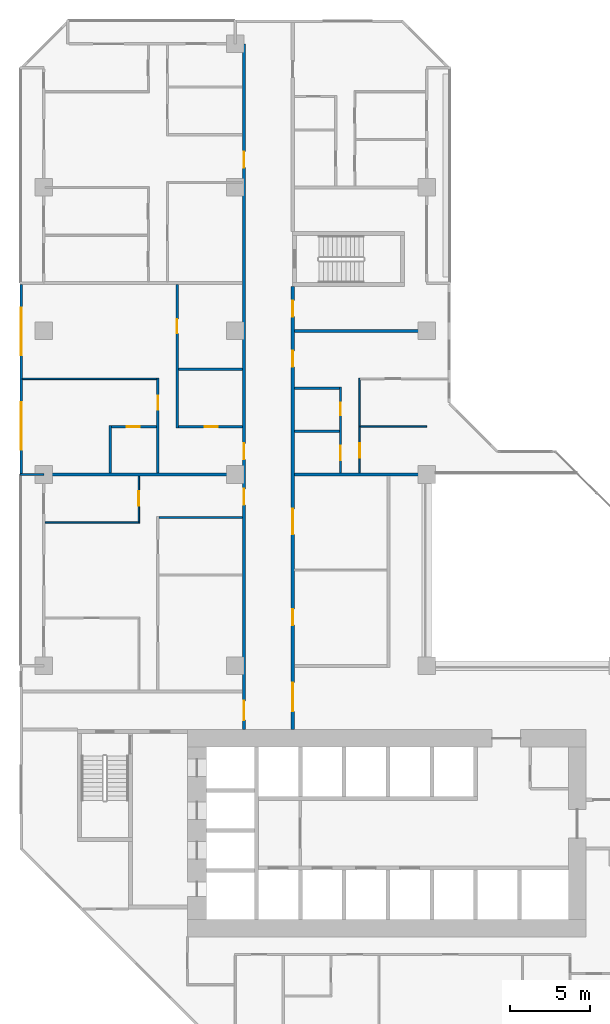
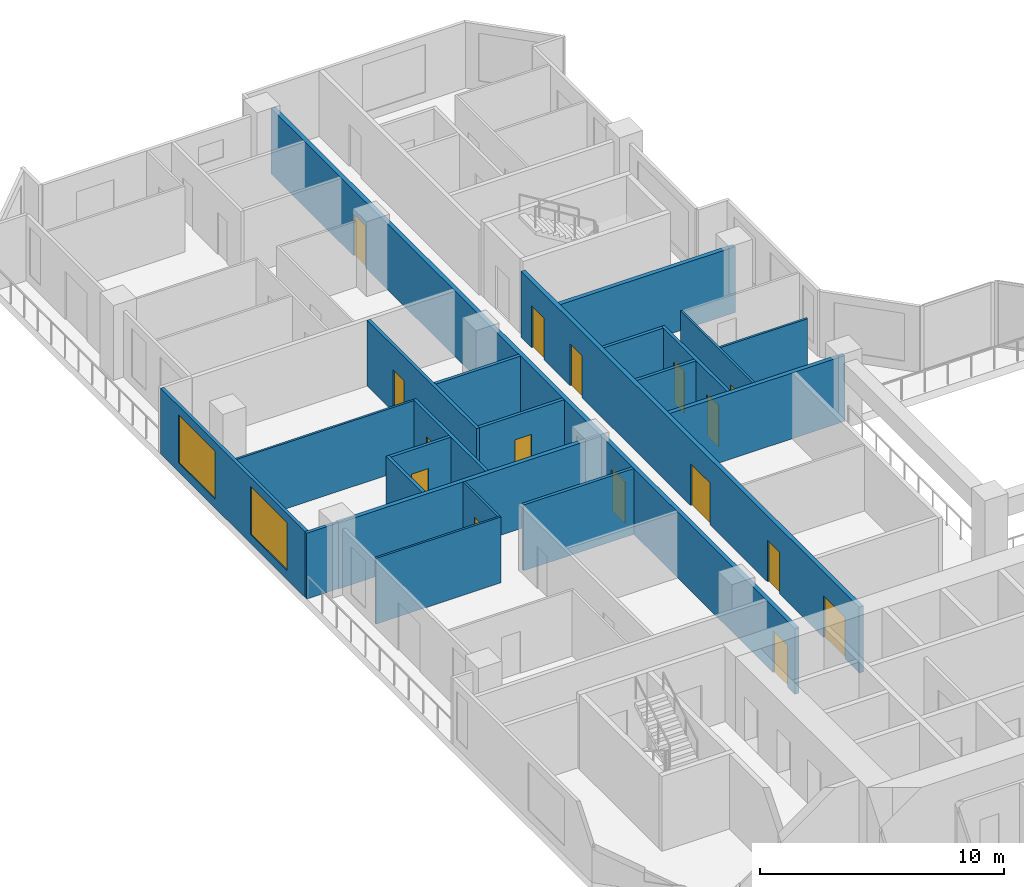
# One storey, part 9 of 16: 22 walls, 17 doors, 2 windows, 19 openings.
"""IFC4 building model written with IfcOpenShell, lengths in metres."""

from ifc_helpers import new_model, si_unit, direction, frame, frame_2d, origin, place, context, subcontext, project, spatial, rectangle, extrude, material, layer, layer_set, type_object, element, fill, save


model = new_model("IFC4")

# Units and contexts
model_context = context("Model", 3, precision=1e-05, world=origin(), true_north=direction((0.0, 1.0)))
body_context = subcontext(model_context, "Body", "Model", "MODEL_VIEW")
ifc_project = project(units=[si_unit("LENGTHUNIT", "METRE"), si_unit("AREAUNIT", "SQUARE_METRE"), si_unit("VOLUMEUNIT", "CUBIC_METRE"), si_unit("PLANEANGLEUNIT", "RADIAN"), si_unit("MASSUNIT", "GRAM", prefix="KILO")], contexts=[model_context])

# Site, building, storey
site_placement = place(None, origin())
site = spatial("IfcSite", under=ifc_project, at=site_placement, CompositionType="ELEMENT")
building_placement = place(site_placement, origin())
building = spatial("IfcBuilding", under=site, at=building_placement, Name="Chenar Terraces", CompositionType="ELEMENT")
storey_placement = place(building_placement, frame((0.0, 0.0, 82.64990234375)))
storey = spatial("IfcBuildingStorey", under=building, at=storey_placement, Name="L18", CompositionType="ELEMENT", Elevation=82.64990234375)

# Wall, openings, doors
ifc_material_1 = material(Name="Gypsum board on steel studs with fire boards", Category="steel")
ifc_layer_1 = layer(ifc_material_1, 0.199951171875)
ifc_layer_set_1 = layer_set([ifc_layer_1], Name="Gypsum board on steel studs with fire boards")
wall_type_1 = type_object("IfcWallType", Name="Corridor wall 200", PredefinedType="PARTITIONING", material=ifc_layer_set_1)
wall_1_placement = place(storey_placement, frame((12.550048828125, 20.0, 0.0), z_axis=(0.0, 0.0, 1.0), x_axis=(0.0, 1.0, 0.0)))
wall_1 = element("IfcWall", 1, at=wall_1_placement, inside=storey, type_object=wall_type_1, Name="Partition L18-034", PredefinedType="PARTITIONING", context=body_context, shape_type="SweptSolid", body=[
    extrude(rectangle(XDim=43.0, YDim=0.199951171875, at=frame_2d((21.5, 0.0))), origin(), (0.0, 0.0, 1.0), 3.300048828125),
])
opening_1_placement = place(wall_1_placement, frame((16.949951171875, 0.0, 0.0)))
opening_1 = element("IfcOpeningElement", 2, at=opening_1_placement, cuts=wall_1, Name="Opening DL18-44", PredefinedType="OPENING", context=body_context, shape_type="SweptSolid", body=[
    extrude(rectangle(XDim=1.0, YDim=2.10009765625, at=frame_2d((0.5, 1.050048828125))), frame((0.0, 0.10986328125, 0.0), z_axis=(0.0, -1.0, 0.0), x_axis=(1.0, 0.0, 0.0)), (0.0, 0.0, 1.0), 0.219970703125),
])
opening_2_placement = place(wall_1_placement, frame((35.25, 0.0, 0.0)))
opening_2 = element("IfcOpeningElement", 3, at=opening_2_placement, cuts=wall_1, Name="Opening DL18-50", PredefinedType="OPENING", context=body_context, shape_type="SweptSolid", body=[
    extrude(rectangle(XDim=1.0, YDim=2.10009765625, at=frame_2d((0.5, 1.050048828125))), frame((0.0, 0.10986328125, 0.0), z_axis=(0.0, -1.0, 0.0), x_axis=(1.0, 0.0, 0.0)), (0.0, 0.0, 1.0), 0.219970703125),
])
opening_3_placement = place(wall_1_placement, frame((0.60009765625, 0.0, 0.0)))
opening_3 = element("IfcOpeningElement", 4, at=opening_3_placement, cuts=wall_1, Name="Opening DL18-54", PredefinedType="OPENING", context=body_context, shape_type="SweptSolid", body=[
    extrude(rectangle(XDim=1.199951171875, YDim=2.10009765625, at=frame_2d((0.60009765625, 1.050048828125))), frame((0.0, 0.10986328125, 0.0), z_axis=(0.0, -1.0, 0.0), x_axis=(1.0, 0.0, 0.0)), (0.0, 0.0, 1.0), 0.219970703125),
])
opening_4_placement = place(wall_1_placement, frame((14.10009765625, 0.0, 0.0)))
opening_4 = element("IfcOpeningElement", 5, at=opening_4_placement, cuts=wall_1, Name="Opening DL18-74", PredefinedType="OPENING", context=body_context, shape_type="SweptSolid", body=[
    extrude(rectangle(XDim=1.0, YDim=2.10009765625, at=frame_2d((0.5, 1.050048828125))), frame((0.0, 0.10986328125, 0.0), z_axis=(0.0, -1.0, 0.0), x_axis=(1.0, 0.0, 0.0)), (0.0, 0.0, 1.0), 0.219970703125),
])
ifc_material_2 = material(Name="Steel-framed fire-resisting door leaf", Category="steel")
door_type_1 = type_object("IfcDoorType", Name="Fire door FD30S 1000 x 2100", OperationType="SINGLE_SWING_LEFT", PredefinedType="DOOR", material=ifc_material_2)
door_1_placement = place(opening_1_placement, origin())
door_1 = element("IfcDoor", 6, at=door_1_placement, inside=storey, type_object=door_type_1, Name="Door DL18-44", OperationType="SINGLE_SWING_LEFT", OverallHeight=2.10009765625, OverallWidth=1.0, PredefinedType="DOOR", context=body_context, shape_type="SweptSolid", body=[
    extrude(rectangle(XDim=1.0, YDim=2.10009765625, at=frame_2d((0.5, 1.050048828125))), frame((0.0, 0.02490234375, 0.0), z_axis=(0.0, -1.0, 0.0), x_axis=(1.0, 0.0, 0.0)), (0.0, 0.0, 1.0), 0.050048828125),
])
fill(opening_1, door_1)
door_2_placement = place(opening_2_placement, origin())
door_2 = element("IfcDoor", 7, at=door_2_placement, inside=storey, type_object=door_type_1, Name="Door DL18-50", OperationType="SINGLE_SWING_LEFT", OverallHeight=2.10009765625, OverallWidth=1.0, PredefinedType="DOOR", context=body_context, shape_type="SweptSolid", body=[
    extrude(rectangle(XDim=1.0, YDim=2.10009765625, at=frame_2d((0.5, 1.050048828125))), frame((0.0, 0.02490234375, 0.0), z_axis=(0.0, -1.0, 0.0), x_axis=(1.0, 0.0, 0.0)), (0.0, 0.0, 1.0), 0.050048828125),
])
fill(opening_2, door_2)
door_3_placement = place(opening_4_placement, origin())
door_3 = element("IfcDoor", 8, at=door_3_placement, inside=storey, type_object=door_type_1, Name="Door DL18-74", OperationType="SINGLE_SWING_RIGHT", OverallHeight=2.10009765625, OverallWidth=1.0, PredefinedType="DOOR", context=body_context, shape_type="SweptSolid", body=[
    extrude(rectangle(XDim=1.0, YDim=2.10009765625, at=frame_2d((0.5, 1.050048828125))), frame((0.0, 0.02490234375, 0.0), z_axis=(0.0, -1.0, 0.0), x_axis=(1.0, 0.0, 0.0)), (0.0, 0.0, 1.0), 0.050048828125),
])
fill(opening_4, door_3)
ifc_material_3 = material(Name="Steel-framed fire-resisting door leaf", Category="steel")
door_type_2 = type_object("IfcDoorType", Name="Fire door FD30S 1200 x 2100", OperationType="SINGLE_SWING_LEFT", PredefinedType="DOOR", material=ifc_material_3)
door_4_placement = place(opening_3_placement, origin())
door_4 = element("IfcDoor", 9, at=door_4_placement, inside=storey, type_object=door_type_2, Name="Door DL18-54", OperationType="SINGLE_SWING_RIGHT", OverallHeight=2.10009765625, OverallWidth=1.199951171875, PredefinedType="DOOR", context=body_context, shape_type="SweptSolid", body=[
    extrude(rectangle(XDim=1.199951171875, YDim=2.10009765625, at=frame_2d((0.60009765625, 1.050048828125))), frame((0.0, 0.02490234375, 0.0), z_axis=(0.0, -1.0, 0.0), x_axis=(1.0, 0.0, 0.0)), (0.0, 0.0, 1.0), 0.050048828125),
])
fill(opening_3, door_4)

wall_2_placement = place(storey_placement, frame((15.60009765625, 20.0, 0.0), z_axis=(0.0, 0.0, 1.0), x_axis=(0.0, 1.0, 0.0)))
wall_2 = element("IfcWall", 10, at=wall_2_placement, inside=storey, type_object=wall_type_1, Name="Partition L18-037", PredefinedType="PARTITIONING", context=body_context, shape_type="SweptSolid", body=[
    extrude(rectangle(XDim=27.77490234375, YDim=0.199951171875, at=frame_2d((13.887451171875, 0.0))), origin(), (0.0, 0.0, 1.0), 3.300048828125),
])
opening_5_placement = place(wall_2_placement, frame((6.550048828125, 0.0, 0.0)))
opening_5 = element("IfcOpeningElement", 11, at=opening_5_placement, cuts=wall_2, Name="Opening DL18-1", PredefinedType="OPENING", context=body_context, shape_type="SweptSolid", body=[
    extrude(rectangle(XDim=1.0, YDim=2.10009765625, at=frame_2d((0.5, 1.050048828125))), frame((0.0, 0.10986328125, 0.0), z_axis=(0.0, -1.0, 0.0), x_axis=(1.0, 0.0, 0.0)), (0.0, 0.0, 1.0), 0.219970703125),
])
opening_6_placement = place(wall_2_placement, frame((12.25, 0.0, 0.0)))
opening_6 = element("IfcOpeningElement", 12, at=opening_6_placement, cuts=wall_2, Name="Opening DL18-2", PredefinedType="OPENING", context=body_context, shape_type="SweptSolid", body=[
    extrude(rectangle(XDim=1.60009765625, YDim=2.10009765625, at=frame_2d((0.800048828125, 1.050048828125))), frame((0.0, 0.10986328125, 0.0), z_axis=(0.0, -1.0, 0.0), x_axis=(1.0, 0.0, 0.0)), (0.0, 0.0, 1.0), 0.219970703125),
])
opening_7_placement = place(wall_2_placement, frame((22.75, 0.0, 0.0)))
opening_7 = element("IfcOpeningElement", 13, at=opening_7_placement, cuts=wall_2, Name="Opening DL18-34", PredefinedType="OPENING", context=body_context, shape_type="SweptSolid", body=[
    extrude(rectangle(XDim=1.0, YDim=2.10009765625, at=frame_2d((0.5, 1.050048828125))), frame((0.0, 0.10986328125, 0.0), z_axis=(0.0, -1.0, 0.0), x_axis=(1.0, 0.0, 0.0)), (0.0, 0.0, 1.0), 0.219970703125),
])
opening_8_placement = place(wall_2_placement, frame((1.14990234375, 0.0, 0.0)))
opening_8 = element("IfcOpeningElement", 14, at=opening_8_placement, cuts=wall_2, Name="Opening DL18-53", PredefinedType="OPENING", context=body_context, shape_type="SweptSolid", body=[
    extrude(rectangle(XDim=1.800048828125, YDim=2.10009765625, at=frame_2d((0.89990234375, 1.050048828125))), frame((0.0, 0.10986328125, 0.0), z_axis=(0.0, -1.0, 0.0), x_axis=(1.0, 0.0, 0.0)), (0.0, 0.0, 1.0), 0.219970703125),
])
opening_9_placement = place(wall_2_placement, frame((25.89990234375, 0.0, 0.0)))
opening_9 = element("IfcOpeningElement", 15, at=opening_9_placement, cuts=wall_2, Name="Opening DL18-56", PredefinedType="OPENING", context=body_context, shape_type="SweptSolid", body=[
    extrude(rectangle(XDim=1.0, YDim=2.10009765625, at=frame_2d((0.5, 1.050048828125))), frame((0.0, 0.10986328125, 0.0), z_axis=(0.0, -1.0, 0.0), x_axis=(1.0, 0.0, 0.0)), (0.0, 0.0, 1.0), 0.219970703125),
])
ifc_material_4 = material(Name="Steel-framed fire-resisting door leaf", Category="steel")
door_type_3 = type_object("IfcDoorType", Name="Fire door FD60 1000 x 2100", OperationType="SINGLE_SWING_LEFT", PredefinedType="DOOR", material=ifc_material_4)
door_5_placement = place(opening_5_placement, frame((1.0, 0.0, 0.0), z_axis=(0.0, 0.0, 1.0), x_axis=(-1.0, 0.0, 0.0)))
door_5 = element("IfcDoor", 16, at=door_5_placement, inside=storey, type_object=door_type_3, Name="Door DL18-1", OperationType="SINGLE_SWING_LEFT", OverallHeight=2.10009765625, OverallWidth=1.0, PredefinedType="DOOR", context=body_context, shape_type="SweptSolid", body=[
    extrude(rectangle(XDim=1.0, YDim=2.10009765625, at=frame_2d((0.5, 1.050048828125))), frame((0.0, 0.02490234375, 0.0), z_axis=(0.0, -1.0, 0.0), x_axis=(1.0, 0.0, 0.0)), (0.0, 0.0, 1.0), 0.050048828125),
])
fill(opening_5, door_5)
door_6_placement = place(opening_7_placement, frame((1.0, 0.0, 0.0), z_axis=(0.0, 0.0, 1.0), x_axis=(-1.0, 0.0, 0.0)))
door_6 = element("IfcDoor", 17, at=door_6_placement, inside=storey, type_object=door_type_3, Name="Door DL18-34", OperationType="SINGLE_SWING_LEFT", OverallHeight=2.10009765625, OverallWidth=1.0, PredefinedType="DOOR", context=body_context, shape_type="SweptSolid", body=[
    extrude(rectangle(XDim=1.0, YDim=2.10009765625, at=frame_2d((0.5, 1.050048828125))), frame((0.0, 0.02490234375, 0.0), z_axis=(0.0, -1.0, 0.0), x_axis=(1.0, 0.0, 0.0)), (0.0, 0.0, 1.0), 0.050048828125),
])
fill(opening_7, door_6)
door_7_placement = place(opening_9_placement, frame((1.0, 0.0, 0.0), z_axis=(0.0, 0.0, 1.0), x_axis=(-1.0, 0.0, 0.0)))
door_7 = element("IfcDoor", 18, at=door_7_placement, inside=storey, type_object=door_type_3, Name="Door DL18-56", OperationType="SINGLE_SWING_RIGHT", OverallHeight=2.10009765625, OverallWidth=1.0, PredefinedType="DOOR", context=body_context, shape_type="SweptSolid", body=[
    extrude(rectangle(XDim=1.0, YDim=2.10009765625, at=frame_2d((0.5, 1.050048828125))), frame((0.0, 0.02490234375, 0.0), z_axis=(0.0, -1.0, 0.0), x_axis=(1.0, 0.0, 0.0)), (0.0, 0.0, 1.0), 0.050048828125),
])
fill(opening_9, door_7)
ifc_material_5 = material(Name="Steel-framed fire-resisting door leaf", Category="steel")
door_type_4 = type_object("IfcDoorType", Name="Fire double door FD60 1600 x 2100", OperationType="DOUBLE_DOOR_SINGLE_SWING", PredefinedType="DOOR", material=ifc_material_5)
door_8_placement = place(opening_6_placement, frame((1.60009765625, 0.0, 0.0), z_axis=(0.0, 0.0, 1.0), x_axis=(-1.0, 0.0, 0.0)))
door_8 = element("IfcDoor", 19, at=door_8_placement, inside=storey, type_object=door_type_4, Name="Door DL18-2", OperationType="DOUBLE_DOOR_SINGLE_SWING", OverallHeight=2.10009765625, OverallWidth=1.60009765625, PredefinedType="DOOR", context=body_context, shape_type="SweptSolid", body=[
    extrude(rectangle(XDim=1.60009765625, YDim=2.10009765625, at=frame_2d((0.800048828125, 1.050048828125))), frame((0.0, 0.02490234375, 0.0), z_axis=(0.0, -1.0, 0.0), x_axis=(1.0, 0.0, 0.0)), (0.0, 0.0, 1.0), 0.050048828125),
])
fill(opening_6, door_8)
ifc_material_6 = material(Name="Steel-framed fire-resisting door leaf", Category="steel")
door_type_5 = type_object("IfcDoorType", Name="Fire double door FD60 1800 x 2100", OperationType="DOUBLE_DOOR_SINGLE_SWING", PredefinedType="DOOR", material=ifc_material_6)
door_9_placement = place(opening_8_placement, frame((1.800048828125, 0.0, 0.0), z_axis=(0.0, 0.0, 1.0), x_axis=(-1.0, 0.0, 0.0)))
door_9 = element("IfcDoor", 20, at=door_9_placement, inside=storey, type_object=door_type_5, Name="Door DL18-53", OperationType="DOUBLE_DOOR_SINGLE_SWING", OverallHeight=2.10009765625, OverallWidth=1.800048828125, PredefinedType="DOOR", context=body_context, shape_type="SweptSolid", body=[
    extrude(rectangle(XDim=1.800048828125, YDim=2.10009765625, at=frame_2d((0.89990234375, 1.050048828125))), frame((0.0, 0.02490234375, 0.0), z_axis=(0.0, -1.0, 0.0), x_axis=(1.0, 0.0, 0.0)), (0.0, 0.0, 1.0), 0.050048828125),
])
fill(opening_8, door_9)

# Wall, openings, windows
ifc_material_7 = material(Name="Aluminium framed glazing", Category="aluminium")
ifc_layer_2 = layer(ifc_material_7, 0.14990234375)
ifc_layer_set_2 = layer_set([ifc_layer_2], Name="Aluminium framed glazing")
wall_type_2 = type_object("IfcWallType", Name="Glazed flush facade wall 150", PredefinedType="SOLIDWALL", material=ifc_layer_set_2)
wall_3_placement = place(storey_placement, frame((-1.425048828125, 47.925048828125, 0.0), z_axis=(0.0, 0.0, 1.0), x_axis=(0.0, -1.0, 0.0)))
wall_3 = element("IfcWall", 21, at=wall_3_placement, inside=storey, type_object=wall_type_2, Name="Glazed flush facade wall", PredefinedType="SOLIDWALL", context=body_context, shape_type="SweptSolid", body=[
    extrude(rectangle(XDim=11.85009765625, YDim=0.14990234375, at=frame_2d((5.925048828125, 0.0))), origin(), (0.0, 0.0, 1.0), 3.300048828125),
])
opening_10_placement = place(wall_3_placement, frame((1.46240234375, 0.0, 0.449951171875)))
opening_10 = element("IfcOpeningElement", 22, at=opening_10_placement, cuts=wall_3, Name="Opening W300x240", PredefinedType="OPENING", context=body_context, shape_type="SweptSolid", body=[
    extrude(rectangle(XDim=3.0, YDim=2.39990234375, at=frame_2d((1.5, 1.199951171875))), frame((0.0, 0.0849609375, 0.0), z_axis=(0.0, -1.0, 0.0), x_axis=(1.0, 0.0, 0.0)), (0.0, 0.0, 1.0), 0.169921875),
])
opening_11_placement = place(wall_3_placement, frame((7.387451171875, 0.0, 0.449951171875)))
opening_11 = element("IfcOpeningElement", 23, at=opening_11_placement, cuts=wall_3, Name="Opening W300x240", PredefinedType="OPENING", context=body_context, shape_type="SweptSolid", body=[
    extrude(rectangle(XDim=3.0, YDim=2.39990234375, at=frame_2d((1.5, 1.199951171875))), frame((0.0, 0.0849609375, 0.0), z_axis=(0.0, -1.0, 0.0), x_axis=(1.0, 0.0, 0.0)), (0.0, 0.0, 1.0), 0.169921875),
])
ifc_material_8 = material(Name="Low emissivity double glazing, aluminium frame", Category="aluminium")
window_type = type_object("IfcWindowType", Name="Fixed light 3000 x 2400", PartitioningType="SINGLE_PANEL", PredefinedType="WINDOW", material=ifc_material_8)
window_1_placement = place(opening_10_placement, origin())
window_1 = element("IfcWindow", 24, at=window_1_placement, inside=storey, type_object=window_type, Name="Window", OverallHeight=2.39990234375, OverallWidth=3.0, PartitioningType="SINGLE_PANEL", PredefinedType="WINDOW", context=body_context, shape_type="SweptSolid", body=[
    extrude(rectangle(XDim=3.0, YDim=2.39990234375, at=frame_2d((1.5, 1.199951171875))), frame((0.0, 0.030029296875, 0.0), z_axis=(0.0, -1.0, 0.0), x_axis=(1.0, 0.0, 0.0)), (0.0, 0.0, 1.0), 0.06005859375),
])
fill(opening_10, window_1)
window_2_placement = place(opening_11_placement, origin())
window_2 = element("IfcWindow", 25, at=window_2_placement, inside=storey, type_object=window_type, Name="Window", OverallHeight=2.39990234375, OverallWidth=3.0, PartitioningType="SINGLE_PANEL", PredefinedType="WINDOW", context=body_context, shape_type="SweptSolid", body=[
    extrude(rectangle(XDim=3.0, YDim=2.39990234375, at=frame_2d((1.5, 1.199951171875))), frame((0.0, 0.030029296875, 0.0), z_axis=(0.0, -1.0, 0.0), x_axis=(1.0, 0.0, 0.0)), (0.0, 0.0, 1.0), 0.06005859375),
])
fill(opening_11, window_2)

# Walls
ifc_material_9 = material(Name="Gypsum board on steel studs", Category="steel")
ifc_layer_3 = layer(ifc_material_9, 0.10009765625)
ifc_layer_set_3 = layer_set([ifc_layer_3], Name="Gypsum board on steel studs")
wall_type_3 = type_object("IfcWallType", Name="Gypsum partition 100", PredefinedType="PARTITIONING", material=ifc_layer_set_3)
wall_4_placement = place(storey_placement, frame((-1.35009765625, 42.0, 0.0), z_axis=(0.0, 0.0, 1.0), x_axis=(1.0, 0.0, 0.0)))
element("IfcWall", 26, at=wall_4_placement, inside=storey, type_object=wall_type_3, Name="Partition L18-004", PredefinedType="PARTITIONING", context=body_context, shape_type="SweptSolid", body=[
    extrude(rectangle(XDim=8.425048828125, YDim=0.10009765625, at=frame_2d((4.21240234375, 0.0))), origin(), (0.0, 0.0, 1.0), 3.300048828125),
])
wall_5_placement = place(storey_placement, frame((0.073974609375, 33.0, 0.0), z_axis=(0.0, 0.0, 1.0), x_axis=(1.0, 0.0, 0.0)))
element("IfcWall", 27, at=wall_5_placement, inside=storey, type_object=wall_type_3, Name="Partition L18-007", PredefinedType="PARTITIONING", context=body_context, shape_type="SweptSolid", body=[
    extrude(rectangle(XDim=5.926025390625, YDim=0.10009765625, at=frame_2d((2.962890625, 0.0))), origin(), (0.0, 0.0, 1.0), 3.300048828125),
])

# Wall, opening, door
wall_6_placement = place(storey_placement, frame((5.949951171875, 33.050048828125, 0.0), z_axis=(0.0, 0.0, 1.0), x_axis=(0.0, 1.0, 0.0)))
wall_6 = element("IfcWall", 28, at=wall_6_placement, inside=storey, type_object=wall_type_3, Name="Partition L18-015", PredefinedType="PARTITIONING", context=body_context, shape_type="SweptSolid", body=[
    extrude(rectangle(XDim=2.849853515625, YDim=0.10009765625, at=frame_2d((1.4248046875, 0.0))), origin(), (0.0, 0.0, 1.0), 3.300048828125),
])
opening_12_placement = place(wall_6_placement, frame((1.0, 0.0, 0.0)))
opening_12 = element("IfcOpeningElement", 29, at=opening_12_placement, cuts=wall_6, Name="Opening DL18-72", PredefinedType="OPENING", context=body_context, shape_type="SweptSolid", body=[
    extrude(rectangle(XDim=0.89990234375, YDim=2.10009765625, at=frame_2d((0.449951171875, 1.050048828125))), frame((0.0, 0.06005859375, 0.0), z_axis=(0.0, -1.0, 0.0), x_axis=(1.0, 0.0, 0.0)), (0.0, 0.0, 1.0), 0.1201171875),
])
ifc_material_10 = material(Name="Veneered timber door leaf", Category="wood")
door_type_6 = type_object("IfcDoorType", Name="Door 900 x 2100", OperationType="SINGLE_SWING_LEFT", PredefinedType="DOOR", material=ifc_material_10)
door_10_placement = place(opening_12_placement, origin())
door_10 = element("IfcDoor", 30, at=door_10_placement, inside=storey, type_object=door_type_6, Name="Door DL18-72", OperationType="SINGLE_SWING_RIGHT", OverallHeight=2.10009765625, OverallWidth=0.89990234375, PredefinedType="DOOR", context=body_context, shape_type="SweptSolid", body=[
    extrude(rectangle(XDim=0.89990234375, YDim=2.10009765625, at=frame_2d((0.449951171875, 1.050048828125))), frame((0.0, 0.02490234375, 0.0), z_axis=(0.0, -1.0, 0.0), x_axis=(1.0, 0.0, 0.0)), (0.0, 0.0, 1.0), 0.050048828125),
])
fill(opening_12, door_10)

wall_7_placement = place(storey_placement, frame((19.800048828125, 36.10009765625, 0.0), z_axis=(0.0, 0.0, 1.0), x_axis=(0.0, 1.0, 0.0)))
wall_7 = element("IfcWall", 31, at=wall_7_placement, inside=storey, type_object=wall_type_3, Name="Partition L18-054", PredefinedType="PARTITIONING", context=body_context, shape_type="SweptSolid", body=[
    extrude(rectangle(XDim=5.949951171875, YDim=0.10009765625, at=frame_2d((2.97509765625, 0.0))), origin(), (0.0, 0.0, 1.0), 3.300048828125),
])
opening_13_placement = place(wall_7_placement, frame((0.949951171875, 0.0, 0.0)))
opening_13 = element("IfcOpeningElement", 32, at=opening_13_placement, cuts=wall_7, Name="Opening DL18-31", PredefinedType="OPENING", context=body_context, shape_type="SweptSolid", body=[
    extrude(rectangle(XDim=0.89990234375, YDim=2.10009765625, at=frame_2d((0.449951171875, 1.050048828125))), frame((0.0, 0.06005859375, 0.0), z_axis=(0.0, -1.0, 0.0), x_axis=(1.0, 0.0, 0.0)), (0.0, 0.0, 1.0), 0.1201171875),
])
door_11_placement = place(opening_13_placement, frame((0.89990234375, 0.0, 0.0), z_axis=(0.0, 0.0, 1.0), x_axis=(-1.0, 0.0, 0.0)))
door_11 = element("IfcDoor", 33, at=door_11_placement, inside=storey, type_object=door_type_6, Name="Door DL18-31", OperationType="SINGLE_SWING_LEFT", OverallHeight=2.10009765625, OverallWidth=0.89990234375, PredefinedType="DOOR", context=body_context, shape_type="SweptSolid", body=[
    extrude(rectangle(XDim=0.89990234375, YDim=2.10009765625, at=frame_2d((0.449951171875, 1.050048828125))), frame((0.0, 0.02490234375, 0.0), z_axis=(0.0, -1.0, 0.0), x_axis=(1.0, 0.0, 0.0)), (0.0, 0.0, 1.0), 0.050048828125),
])
fill(opening_13, door_11)

# Walls
wall_8_placement = place(storey_placement, frame((19.85009765625, 39.0, 0.0), z_axis=(0.0, 0.0, 1.0), x_axis=(1.0, 0.0, 0.0)))
element("IfcWall", 34, at=wall_8_placement, inside=storey, type_object=wall_type_3, Name="Partition L18-055", PredefinedType="PARTITIONING", context=body_context, shape_type="SweptSolid", body=[
    extrude(rectangle(XDim=4.14990234375, YDim=0.10009765625, at=frame_2d((2.074951171875, 0.0))), origin(), (0.0, 0.0, 1.0), 3.300048828125),
])
ifc_material_11 = material(Name="Terracotta cladding on insulated backing", Category="masonry")
ifc_layer_4 = layer(ifc_material_11, 0.14990234375)
ifc_layer_set_4 = layer_set([ifc_layer_4], Name="Terracotta cladding on insulated backing")
wall_type_4 = type_object("IfcWallType", Name="Loggia return wall 150", PredefinedType="SOLIDWALL", material=ifc_layer_set_4)
wall_9_placement = place(storey_placement, frame((-1.5, 36.0, 0.0), z_axis=(0.0, 0.0, 1.0), x_axis=(1.0, 0.0, 0.0)))
element("IfcWall", 35, at=wall_9_placement, inside=storey, type_object=wall_type_4, Name="Loggia return wall", PredefinedType="SOLIDWALL", context=body_context, shape_type="SweptSolid", body=[
    extrude(rectangle(XDim=1.5, YDim=0.14990234375, at=frame_2d((0.75, 0.0))), origin(), (0.0, 0.0, 1.0), 3.300048828125),
])
ifc_material_12 = material(Name="Twin gypsum board on steel studs with mineral wool", Category="steel")
ifc_layer_5 = layer(ifc_material_12, 0.199951171875)
ifc_layer_set_5 = layer_set([ifc_layer_5], Name="Twin gypsum board on steel studs with mineral wool")
wall_type_5 = type_object("IfcWallType", Name="Unit demising wall 200", PredefinedType="PARTITIONING", material=ifc_layer_set_5)
wall_10_placement = place(storey_placement, frame((0.0, 36.0, 0.0), z_axis=(0.0, 0.0, 1.0), x_axis=(1.0, 0.0, 0.0)))
element("IfcWall", 36, at=wall_10_placement, inside=storey, type_object=wall_type_5, Name="Partition L18-003", PredefinedType="PARTITIONING", context=body_context, shape_type="SweptSolid", body=[
    extrude(rectangle(XDim=12.449951171875, YDim=0.199951171875, at=frame_2d((6.22509765625, 0.0))), origin(), (0.0, 0.0, 1.0), 3.300048828125),
])
for number, where, z_axis, x_axis, name in (
    (37, (15.699951171875, 36.0, 0.0), (0.0, 0.0, 1.0), (1.0, 0.0, 0.0), "Partition L18-041"),
    (38, (15.699951171875, 45.0, 0.0), (0.0, 0.0, 1.0), (1.0, 0.0, 0.0), "Partition L18-044"),
):
    element("IfcWall", number, at=place(storey_placement, frame(where, z_axis=z_axis, x_axis=x_axis)), inside=storey, type_object=wall_type_5, Name=name, PredefinedType="PARTITIONING", context=body_context, shape_type="SweptSolid", body=[
        extrude(rectangle(XDim=8.300048828125, YDim=0.199951171875, at=frame_2d((4.14990234375, 0.0))), origin(), (0.0, 0.0, 1.0), 3.300048828125),
    ])
ifc_material_13 = material(Name="Moisture-resistant gypsum board on steel studs", Category="steel")
ifc_layer_6 = layer(ifc_material_13, 0.14990234375)
ifc_layer_set_6 = layer_set([ifc_layer_6], Name="Moisture-resistant gypsum board on steel studs")
wall_type_6 = type_object("IfcWallType", Name="Wet-room partition 150", PredefinedType="PARTITIONING", material=ifc_layer_set_6)
wall_11_placement = place(storey_placement, frame((4.14990234375, 36.10009765625, 0.0), z_axis=(0.0, 0.0, 1.0), x_axis=(0.0, 1.0, 0.0)))
element("IfcWall", 39, at=wall_11_placement, inside=storey, type_object=wall_type_6, Name="Partition L18-012", PredefinedType="PARTITIONING", context=body_context, shape_type="SweptSolid", body=[
    extrude(rectangle(XDim=2.974853515625, YDim=0.14990234375, at=frame_2d((1.4873046875, 0.0))), origin(), (0.0, 0.0, 1.0), 3.300048828125),
])

# Wall, opening, door
wall_12_placement = place(storey_placement, frame((4.22509765625, 39.0, 0.0), z_axis=(0.0, 0.0, 1.0), x_axis=(1.0, 0.0, 0.0)))
wall_12 = element("IfcWall", 40, at=wall_12_placement, inside=storey, type_object=wall_type_6, Name="Partition L18-013", PredefinedType="PARTITIONING", context=body_context, shape_type="SweptSolid", body=[
    extrude(rectangle(XDim=2.849853515625, YDim=0.14990234375, at=frame_2d((1.4248046875, 0.0))), origin(), (0.0, 0.0, 1.0), 3.300048828125),
])
opening_14_placement = place(wall_12_placement, frame((0.97509765625, 0.0, 0.0)))
opening_14 = element("IfcOpeningElement", 41, at=opening_14_placement, cuts=wall_12, Name="Opening DL18-42", PredefinedType="OPENING", context=body_context, shape_type="SweptSolid", body=[
    extrude(rectangle(XDim=0.800048828125, YDim=2.10009765625, at=frame_2d((0.39990234375, 1.050048828125))), frame((0.0, 0.0849609375, 0.0), z_axis=(0.0, -1.0, 0.0), x_axis=(1.0, 0.0, 0.0)), (0.0, 0.0, 1.0), 0.169921875),
])
ifc_material_14 = material(Name="Veneered timber door leaf", Category="wood")
door_type_7 = type_object("IfcDoorType", Name="Door 800 x 2100", OperationType="SINGLE_SWING_LEFT", PredefinedType="DOOR", material=ifc_material_14)
door_12_placement = place(opening_14_placement, frame((0.800048828125, 0.0, 0.0), z_axis=(0.0, 0.0, 1.0), x_axis=(-1.0, 0.0, 0.0)))
door_12 = element("IfcDoor", 42, at=door_12_placement, inside=storey, type_object=door_type_7, Name="Door DL18-42", OperationType="SINGLE_SWING_RIGHT", OverallHeight=2.10009765625, OverallWidth=0.800048828125, PredefinedType="DOOR", context=body_context, shape_type="SweptSolid", body=[
    extrude(rectangle(XDim=0.800048828125, YDim=2.10009765625, at=frame_2d((0.39990234375, 1.050048828125))), frame((0.0, 0.02490234375, 0.0), z_axis=(0.0, -1.0, 0.0), x_axis=(1.0, 0.0, 0.0)), (0.0, 0.0, 1.0), 0.050048828125),
])
fill(opening_14, door_12)

wall_13_placement = place(storey_placement, frame((7.14990234375, 36.10009765625, 0.0), z_axis=(0.0, 0.0, 1.0), x_axis=(0.0, 1.0, 0.0)))
wall_13 = element("IfcWall", 43, at=wall_13_placement, inside=storey, type_object=wall_type_6, Name="Partition L18-019", PredefinedType="PARTITIONING", context=body_context, shape_type="SweptSolid", body=[
    extrude(rectangle(XDim=5.949951171875, YDim=0.14990234375, at=frame_2d((2.97509765625, 0.0))), origin(), (0.0, 0.0, 1.0), 3.300048828125),
])
opening_15_placement = place(wall_13_placement, frame((3.949951171875, 0.0, 0.0)))
opening_15 = element("IfcOpeningElement", 44, at=opening_15_placement, cuts=wall_13, Name="Opening DL18-41", PredefinedType="OPENING", context=body_context, shape_type="SweptSolid", body=[
    extrude(rectangle(XDim=0.89990234375, YDim=2.10009765625, at=frame_2d((0.449951171875, 1.050048828125))), frame((0.0, 0.0849609375, 0.0), z_axis=(0.0, -1.0, 0.0), x_axis=(1.0, 0.0, 0.0)), (0.0, 0.0, 1.0), 0.169921875),
])
door_13_placement = place(opening_15_placement, origin())
door_13 = element("IfcDoor", 45, at=door_13_placement, inside=storey, type_object=door_type_6, Name="Door DL18-41", OperationType="SINGLE_SWING_RIGHT", OverallHeight=2.10009765625, OverallWidth=0.89990234375, PredefinedType="DOOR", context=body_context, shape_type="SweptSolid", body=[
    extrude(rectangle(XDim=0.89990234375, YDim=2.10009765625, at=frame_2d((0.449951171875, 1.050048828125))), frame((0.0, 0.02490234375, 0.0), z_axis=(0.0, -1.0, 0.0), x_axis=(1.0, 0.0, 0.0)), (0.0, 0.0, 1.0), 0.050048828125),
])
fill(opening_15, door_13)

# Wall
wall_14_placement = place(storey_placement, frame((7.22509765625, 33.300048828125, 0.0), z_axis=(0.0, 0.0, 1.0), x_axis=(1.0, 0.0, 0.0)))
element("IfcWall", 46, at=wall_14_placement, inside=storey, type_object=wall_type_6, Name="Partition L18-021", PredefinedType="PARTITIONING", context=body_context, shape_type="SweptSolid", body=[
    extrude(rectangle(XDim=5.224853515625, YDim=0.14990234375, at=frame_2d((2.6123046875, 0.0))), origin(), (0.0, 0.0, 1.0), 3.300048828125),
])

# Wall, opening, door
wall_15_placement = place(storey_placement, frame((8.35009765625, 38.925048828125, 0.0), z_axis=(0.0, 0.0, 1.0), x_axis=(0.0, 1.0, 0.0)))
wall_15 = element("IfcWall", 47, at=wall_15_placement, inside=storey, type_object=wall_type_6, Name="Partition L18-027", PredefinedType="PARTITIONING", context=body_context, shape_type="SweptSolid", body=[
    extrude(rectangle(XDim=8.974853515625, YDim=0.14990234375, at=frame_2d((4.4873046875, 0.0))), origin(), (0.0, 0.0, 1.0), 3.300048828125),
])
opening_16_placement = place(wall_15_placement, frame((5.925048828125, 0.0, 0.0)))
opening_16 = element("IfcOpeningElement", 48, at=opening_16_placement, cuts=wall_15, Name="Opening DL18-43", PredefinedType="OPENING", context=body_context, shape_type="SweptSolid", body=[
    extrude(rectangle(XDim=0.89990234375, YDim=2.10009765625, at=frame_2d((0.449951171875, 1.050048828125))), frame((0.0, 0.0849609375, 0.0), z_axis=(0.0, -1.0, 0.0), x_axis=(1.0, 0.0, 0.0)), (0.0, 0.0, 1.0), 0.169921875),
])
door_14_placement = place(opening_16_placement, frame((0.89990234375, 0.0, 0.0), z_axis=(0.0, 0.0, 1.0), x_axis=(-1.0, 0.0, 0.0)))
door_14 = element("IfcDoor", 49, at=door_14_placement, inside=storey, type_object=door_type_6, Name="Door DL18-43", OperationType="SINGLE_SWING_RIGHT", OverallHeight=2.10009765625, OverallWidth=0.89990234375, PredefinedType="DOOR", context=body_context, shape_type="SweptSolid", body=[
    extrude(rectangle(XDim=0.89990234375, YDim=2.10009765625, at=frame_2d((0.449951171875, 1.050048828125))), frame((0.0, 0.02490234375, 0.0), z_axis=(0.0, -1.0, 0.0), x_axis=(1.0, 0.0, 0.0)), (0.0, 0.0, 1.0), 0.050048828125),
])
fill(opening_16, door_14)

wall_16_placement = place(storey_placement, frame((8.425048828125, 39.0, 0.0), z_axis=(0.0, 0.0, 1.0), x_axis=(1.0, 0.0, 0.0)))
wall_16 = element("IfcWall", 50, at=wall_16_placement, inside=storey, type_object=wall_type_6, Name="Partition L18-028", PredefinedType="PARTITIONING", context=body_context, shape_type="SweptSolid", body=[
    extrude(rectangle(XDim=4.02490234375, YDim=0.14990234375, at=frame_2d((2.012451171875, 0.0))), origin(), (0.0, 0.0, 1.0), 3.300048828125),
])
opening_17_placement = place(wall_16_placement, frame((1.675048828125, 0.0, 0.0)))
opening_17 = element("IfcOpeningElement", 51, at=opening_17_placement, cuts=wall_16, Name="Opening DL18-40", PredefinedType="OPENING", context=body_context, shape_type="SweptSolid", body=[
    extrude(rectangle(XDim=0.800048828125, YDim=2.10009765625, at=frame_2d((0.39990234375, 1.050048828125))), frame((0.0, 0.0849609375, 0.0), z_axis=(0.0, -1.0, 0.0), x_axis=(1.0, 0.0, 0.0)), (0.0, 0.0, 1.0), 0.169921875),
])
door_15_placement = place(opening_17_placement, origin())
door_15 = element("IfcDoor", 52, at=door_15_placement, inside=storey, type_object=door_type_7, Name="Door DL18-40", OperationType="SINGLE_SWING_LEFT", OverallHeight=2.10009765625, OverallWidth=0.800048828125, PredefinedType="DOOR", context=body_context, shape_type="SweptSolid", body=[
    extrude(rectangle(XDim=0.800048828125, YDim=2.10009765625, at=frame_2d((0.39990234375, 1.050048828125))), frame((0.0, 0.02490234375, 0.0), z_axis=(0.0, -1.0, 0.0), x_axis=(1.0, 0.0, 0.0)), (0.0, 0.0, 1.0), 0.050048828125),
])
fill(opening_17, door_15)

# Walls
wall_17_placement = place(storey_placement, frame((8.425048828125, 42.60009765625, 0.0), z_axis=(0.0, 0.0, 1.0), x_axis=(1.0, 0.0, 0.0)))
element("IfcWall", 53, at=wall_17_placement, inside=storey, type_object=wall_type_6, Name="Partition L18-029", PredefinedType="PARTITIONING", context=body_context, shape_type="SweptSolid", body=[
    extrude(rectangle(XDim=4.02490234375, YDim=0.14990234375, at=frame_2d((2.012451171875, 0.0))), origin(), (0.0, 0.0, 1.0), 3.300048828125),
])
for number, where, z_axis, x_axis, name in (
    (54, (15.699951171875, 38.699951171875, 0.0), (0.0, 0.0, 1.0), (1.0, 0.0, 0.0), "Partition L18-042"),
    (55, (15.699951171875, 41.39990234375, 0.0), (0.0, 0.0, 1.0), (1.0, 0.0, 0.0), "Partition L18-043"),
):
    element("IfcWall", number, at=place(storey_placement, frame(where, z_axis=z_axis, x_axis=x_axis)), inside=storey, type_object=wall_type_6, Name=name, PredefinedType="PARTITIONING", context=body_context, shape_type="SweptSolid", body=[
        extrude(rectangle(XDim=2.824951171875, YDim=0.14990234375, at=frame_2d((1.41259765625, 0.0))), origin(), (0.0, 0.0, 1.0), 3.300048828125),
    ])

# Wall, openings, doors
wall_18_placement = place(storey_placement, frame((18.60009765625, 36.10009765625, 0.0), z_axis=(0.0, 0.0, 1.0), x_axis=(0.0, 1.0, 0.0)))
wall_18 = element("IfcWall", 56, at=wall_18_placement, inside=storey, type_object=wall_type_6, Name="Partition L18-050", PredefinedType="PARTITIONING", context=body_context, shape_type="SweptSolid", body=[
    extrude(rectangle(XDim=5.375, YDim=0.14990234375, at=frame_2d((2.6875, 0.0))), origin(), (0.0, 0.0, 1.0), 3.300048828125),
])
opening_18_placement = place(wall_18_placement, frame((3.60009765625, 0.0, 0.0)))
opening_18 = element("IfcOpeningElement", 57, at=opening_18_placement, cuts=wall_18, Name="Opening DL18-30", PredefinedType="OPENING", context=body_context, shape_type="SweptSolid", body=[
    extrude(rectangle(XDim=0.800048828125, YDim=2.10009765625, at=frame_2d((0.39990234375, 1.050048828125))), frame((0.0, 0.0849609375, 0.0), z_axis=(0.0, -1.0, 0.0), x_axis=(1.0, 0.0, 0.0)), (0.0, 0.0, 1.0), 0.169921875),
])
opening_19_placement = place(wall_18_placement, frame((0.800048828125, 0.0, 0.0)))
opening_19 = element("IfcOpeningElement", 58, at=opening_19_placement, cuts=wall_18, Name="Opening DL18-33", PredefinedType="OPENING", context=body_context, shape_type="SweptSolid", body=[
    extrude(rectangle(XDim=0.89990234375, YDim=2.10009765625, at=frame_2d((0.449951171875, 1.050048828125))), frame((0.0, 0.0849609375, 0.0), z_axis=(0.0, -1.0, 0.0), x_axis=(1.0, 0.0, 0.0)), (0.0, 0.0, 1.0), 0.169921875),
])
door_16_placement = place(opening_18_placement, origin())
door_16 = element("IfcDoor", 59, at=door_16_placement, inside=storey, type_object=door_type_7, Name="Door DL18-30", OperationType="SINGLE_SWING_RIGHT", OverallHeight=2.10009765625, OverallWidth=0.800048828125, PredefinedType="DOOR", context=body_context, shape_type="SweptSolid", body=[
    extrude(rectangle(XDim=0.800048828125, YDim=2.10009765625, at=frame_2d((0.39990234375, 1.050048828125))), frame((0.0, 0.02490234375, 0.0), z_axis=(0.0, -1.0, 0.0), x_axis=(1.0, 0.0, 0.0)), (0.0, 0.0, 1.0), 0.050048828125),
])
fill(opening_18, door_16)
door_17_placement = place(opening_19_placement, origin())
door_17 = element("IfcDoor", 60, at=door_17_placement, inside=storey, type_object=door_type_6, Name="Door DL18-33", OperationType="SINGLE_SWING_RIGHT", OverallHeight=2.10009765625, OverallWidth=0.89990234375, PredefinedType="DOOR", context=body_context, shape_type="SweptSolid", body=[
    extrude(rectangle(XDim=0.89990234375, YDim=2.10009765625, at=frame_2d((0.449951171875, 1.050048828125))), frame((0.0, 0.02490234375, 0.0), z_axis=(0.0, -1.0, 0.0), x_axis=(1.0, 0.0, 0.0)), (0.0, 0.0, 1.0), 0.050048828125),
])
fill(opening_19, door_17)

save(model, "model.ifc")
